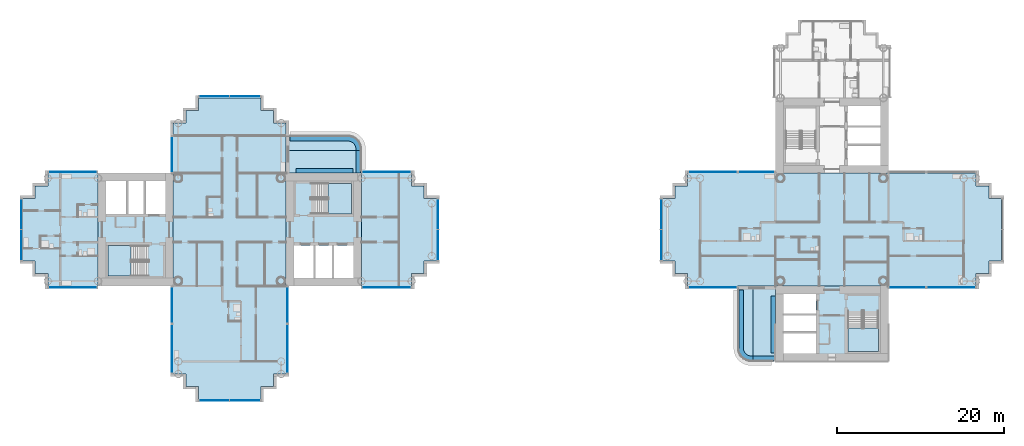
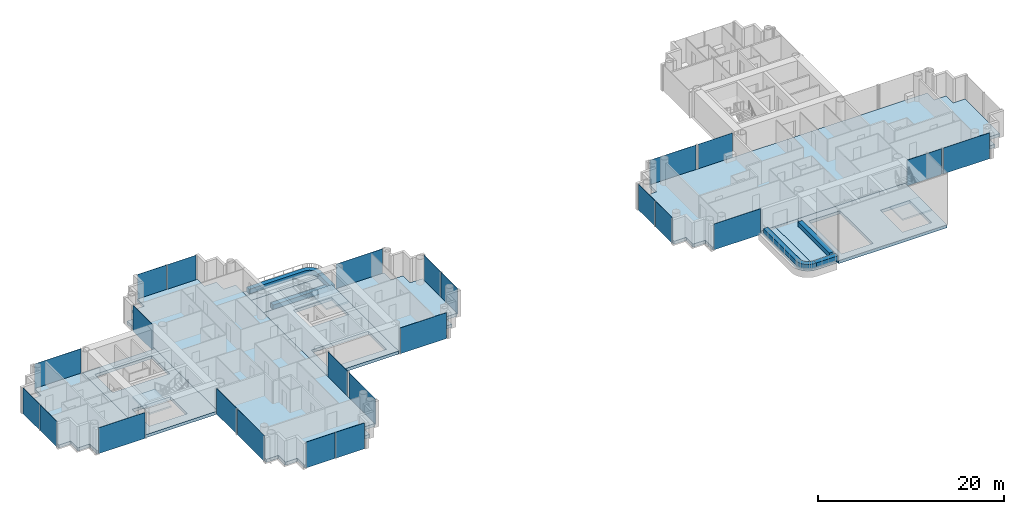
# One storey, part 7 of 21: 24 plates, 20 slabs, 22 elements without a shape of their own.
"""IFC4 building model written with IfcOpenShell, lengths in metres."""

from ifc_helpers import new_model, si_unit, direction, frame, origin, origin_2d, place, context, subcontext, project, spatial, polyline, rectangle, outline, extrude, material, layer, layer_set, type_object, element, aggregate, save


model = new_model("IFC4")

# Units and contexts
model_context = context("Model", 3, precision=1e-05, world=origin(), true_north=direction((0.0, 1.0)))
body_context = subcontext(model_context, "Body", "Model", "MODEL_VIEW")
ifc_project = project(units=[si_unit("LENGTHUNIT", "METRE"), si_unit("AREAUNIT", "SQUARE_METRE"), si_unit("VOLUMEUNIT", "CUBIC_METRE"), si_unit("PLANEANGLEUNIT", "RADIAN"), si_unit("MASSUNIT", "GRAM", prefix="KILO")], contexts=[model_context])

# Site, building, storey
site_placement = place(None, origin())
site = spatial("IfcSite", under=ifc_project, at=site_placement, CompositionType="ELEMENT")
building_placement = place(site_placement, origin())
building = spatial("IfcBuilding", under=site, at=building_placement, Name="Ipe Terrace Towers", CompositionType="ELEMENT")
storey_placement = place(building_placement, frame((0.0, 0.0, 83.39990234375)))
storey = spatial("IfcBuildingStorey", under=building, at=storey_placement, Name="L22", CompositionType="ELEMENT", Elevation=83.39990234375)

# Slabs
ifc_material_1 = material(Name="Concrete C30/37", Category="concrete")
ifc_layer_1 = layer(ifc_material_1, 0.199951171875)
ifc_layer_set_1 = layer_set([ifc_layer_1], Name="BALCONY SLAB 200")
slab_type_1 = type_object("IfcSlabType", Name="BALCONY SLAB 200", PredefinedType="FLOOR", material=ifc_layer_set_1)
slab_1_placement = place(storey_placement, frame((0.0, 0.0, -0.219970703125)))
element("IfcSlab", 1, at=slab_1_placement, inside=storey, type_object=slab_type_1, Name="balcony slab", PredefinedType="FLOOR", context=body_context, shape_type="SweptSolid", body=[
    extrude(outline(polyline([(-20.25, 6.75), (-20.25, 9.449951171875), (-29.25, 9.449951171875), (-29.25, 6.75), (-20.25, 6.75)])), origin(), (0.0, 0.0, 1.0), 0.199951171875),
])
slab_2_placement = place(storey_placement, frame((0.0, 0.0, -0.219970703125)))
element("IfcSlab", 2, at=slab_2_placement, inside=storey, type_object=slab_type_1, Name="balcony slab", PredefinedType="FLOOR", context=body_context, shape_type="SweptSolid", body=[
    extrude(outline(polyline([(-29.25, 11.25), (-29.25, 9.449951171875), (-20.25, 9.449951171875), (-20.25, 9.64990234375), (-20.263916015625, 9.85888671875), (-20.304931640625, 10.06396484375), (-20.3720703125, 10.261962890625), (-20.464111328125, 10.449951171875), (-20.5810546875, 10.6240234375), (-20.718994140625, 10.781005859375), (-20.8759765625, 10.9189453125), (-21.050048828125, 11.035888671875), (-21.238037109375, 11.1279296875), (-21.43603515625, 11.195068359375), (-21.64111328125, 11.236083984375), (-21.85009765625, 11.25), (-29.25, 11.25)])), origin(), (0.0, 0.0, 1.0), 0.199951171875),
])
slab_3_placement = place(storey_placement, frame((0.0, 0.0, -0.219970703125)))
element("IfcSlab", 3, at=slab_3_placement, inside=storey, type_object=slab_type_1, Name="balcony slab", PredefinedType="FLOOR", context=body_context, shape_type="SweptSolid", body=[
    extrude(outline(polyline([(29.25, -15.75), (29.25, -6.75), (26.550048828125, -6.75), (26.550048828125, -15.75), (29.25, -15.75)])), origin(), (0.0, 0.0, 1.0), 0.199951171875),
])
slab_4_placement = place(storey_placement, frame((0.0, 0.0, -0.219970703125)))
element("IfcSlab", 4, at=slab_4_placement, inside=storey, type_object=slab_type_1, Name="balcony slab", PredefinedType="FLOOR", context=body_context, shape_type="SweptSolid", body=[
    extrude(outline(polyline([(24.75, -6.75), (24.75, -14.14990234375), (24.763916015625, -14.35888671875), (24.804931640625, -14.56396484375), (24.8720703125, -14.761962890625), (24.964111328125, -14.949951171875), (25.0810546875, -15.1240234375), (25.218994140625, -15.281005859375), (25.3759765625, -15.4189453125), (25.550048828125, -15.535888671875), (25.738037109375, -15.6279296875), (25.93603515625, -15.695068359375), (26.14111328125, -15.736083984375), (26.35009765625, -15.75), (26.550048828125, -15.75), (26.550048828125, -6.75), (24.75, -6.75)])), origin(), (0.0, 0.0, 1.0), 0.199951171875),
])
ifc_material_2 = material(Name="Concrete C30/37", Category="concrete")
ifc_layer_2 = layer(ifc_material_2, 0.39990234375)
ifc_layer_set_2 = layer_set([ifc_layer_2], Name="CORE FLOOR SLAB 400 C30-37")
slab_type_2 = type_object("IfcSlabType", Name="CORE FLOOR SLAB 400 C30-37", PredefinedType="FLOOR", material=ifc_layer_set_2)
slab_5_placement = place(storey_placement, frame((0.0, 0.0, -0.39990234375)))
element("IfcSlab", 5, at=slab_5_placement, inside=storey, type_object=slab_type_2, Name="Core floor T1-C1", PredefinedType="FLOOR", context=body_context, shape_type="SweptSolid", body=[
    extrude(outline(polyline([(-29.25, -6.75), (-29.25, 6.75), (-20.25, 6.75), (-20.25, -6.75), (-29.25, -6.75)]), holes=[polyline([(-28.300048828125, -5.800048828125), (-21.199951171875, -5.800048828125), (-21.199951171875, -1.89990234375), (-28.300048828125, -1.89990234375), (-28.300048828125, -5.800048828125)]), polyline([(-26.199951171875, 5.550048828125), (-26.199951171875, 1.89990234375), (-21.449951171875, 1.89990234375), (-21.449951171875, 5.550048828125), (-26.199951171875, 5.550048828125)])]), origin(), (0.0, 0.0, 1.0), 0.39990234375),
])
slab_6_placement = place(storey_placement, frame((0.0, 0.0, -0.39990234375)))
element("IfcSlab", 6, at=slab_6_placement, inside=storey, type_object=slab_type_2, Name="Core floor T1-C2", PredefinedType="FLOOR", context=body_context, shape_type="SweptSolid", body=[
    extrude(outline(polyline([(-51.75, -6.75), (-51.75, 6.75), (-42.75, 6.75), (-42.75, -6.75), (-51.75, -6.75)]), holes=[polyline([(-45.800048828125, -5.550048828125), (-45.800048828125, -1.89990234375), (-50.550048828125, -1.89990234375), (-50.550048828125, -5.550048828125), (-45.800048828125, -5.550048828125)]), polyline([(-50.800048828125, 1.89990234375), (-43.699951171875, 1.89990234375), (-43.699951171875, 5.800048828125), (-50.800048828125, 5.800048828125), (-50.800048828125, 1.89990234375)])]), origin(), (0.0, 0.0, 1.0), 0.39990234375),
])
slab_7_placement = place(storey_placement, frame((0.0, 0.0, -0.39990234375)))
element("IfcSlab", 7, at=slab_7_placement, inside=storey, type_object=slab_type_2, Name="Core floor T2-C2", PredefinedType="FLOOR", context=body_context, shape_type="SweptSolid", body=[
    extrude(outline(polyline([(29.25, -15.75), (29.25, -6.75), (42.75, -6.75), (42.75, -15.75), (29.25, -15.75)]), holes=[polyline([(34.10009765625, -14.800048828125), (34.10009765625, -7.699951171875), (30.199951171875, -7.699951171875), (30.199951171875, -14.800048828125), (34.10009765625, -14.800048828125)]), polyline([(41.550048828125, -9.800048828125), (37.89990234375, -9.800048828125), (37.89990234375, -14.550048828125), (41.550048828125, -14.550048828125), (41.550048828125, -9.800048828125)])]), origin(), (0.0, 0.0, 1.0), 0.39990234375),
])

# Stair, slab
ifc_material_3 = material(Name="Concrete C30/37", Category="concrete")
stair_type = type_object("IfcStairType", Name="Protected exit stair", PredefinedType="HALF_TURN_STAIR", material=ifc_material_3)
stair_1_placement = place(storey_placement, origin())
stair_1 = element("IfcStair", 8, at=stair_1_placement, inside=storey, type_object=stair_type, Name="L22 Exit stair T1-C1", PredefinedType="HALF_TURN_STAIR")
ifc_material_4 = material(Name="Concrete C30/37", Category="concrete")
ifc_layer_3 = layer(ifc_material_4, 0.199951171875)
ifc_layer_set_3 = layer_set([ifc_layer_3], Name="Exit stair landing 200")
slab_type_3 = type_object("IfcSlabType", Name="Exit stair landing 200", PredefinedType="LANDING", material=ifc_layer_set_3)
slab_8_placement = place(storey_placement, frame((0.0, 0.0, 1.5)))
slab_8 = element("IfcSlab", 9, at=slab_8_placement, type_object=slab_type_3, Name="T1-ST1 landing 1", PredefinedType="LANDING", context=body_context, shape_type="SweptSolid", body=[
    extrude(outline(polyline([(-24.219970703125, 1.89990234375), (-21.449951171875, 1.89990234375), (-21.449951171875, 5.550048828125), (-24.219970703125, 5.550048828125), (-24.219970703125, 1.89990234375)])), origin(), (0.0, 0.0, 1.0), 0.2001953125),
])
aggregate(stair_1, [slab_8])

stair_2_placement = place(storey_placement, origin())
stair_2 = element("IfcStair", 10, at=stair_2_placement, inside=storey, type_object=stair_type, Name="L22 Exit stair T1-C2", PredefinedType="HALF_TURN_STAIR")
slab_9_placement = place(storey_placement, frame((0.0, 0.0, 1.5)))
slab_9 = element("IfcSlab", 11, at=slab_9_placement, type_object=slab_type_3, Name="T1-ST2 landing 1", PredefinedType="LANDING", context=body_context, shape_type="SweptSolid", body=[
    extrude(outline(polyline([(-47.780029296875, -1.89990234375), (-50.550048828125, -1.89990234375), (-50.550048828125, -5.550048828125), (-47.780029296875, -5.550048828125), (-47.780029296875, -1.89990234375)])), origin(), (0.0, 0.0, 1.0), 0.2001953125),
])
aggregate(stair_2, [slab_9])

stair_3_placement = place(storey_placement, origin())
stair_3 = element("IfcStair", 12, at=stair_3_placement, inside=storey, type_object=stair_type, Name="L22 Exit stair T2-C2", PredefinedType="HALF_TURN_STAIR")
slab_10_placement = place(storey_placement, frame((0.0, 0.0, 1.5)))
slab_10 = element("IfcSlab", 13, at=slab_10_placement, type_object=slab_type_3, Name="T2-ST2 landing 1", PredefinedType="LANDING", context=body_context, shape_type="SweptSolid", body=[
    extrude(outline(polyline([(37.89990234375, -11.780029296875), (37.89990234375, -14.550048828125), (41.550048828125, -14.550048828125), (41.550048828125, -11.780029296875), (37.89990234375, -11.780029296875)])), origin(), (0.0, 0.0, 1.0), 0.2001953125),
])
aggregate(stair_3, [slab_10])

# Slabs
ifc_material_5 = material(Name="Concrete C40/50", Category="concrete")
ifc_layer_4 = layer(ifc_material_5, 0.39990234375)
ifc_layer_set_4 = layer_set([ifc_layer_4], Name="FLAT PLATE SLAB 400 C40-50")
slab_type_4 = type_object("IfcSlabType", Name="FLAT PLATE SLAB 400 C40-50", PredefinedType="FLOOR", material=ifc_layer_set_4)
slab_11_placement = place(storey_placement, frame((0.0, 0.0, -0.39990234375)))
element("IfcSlab", 14, at=slab_11_placement, inside=storey, type_object=slab_type_4, Name="Slab T1-FS-Z21", PredefinedType="FLOOR", context=body_context, shape_type="SweptSolid", body=[
    extrude(outline(polyline([(-30.75, -17.25), (-30.75, -18.75), (-32.25, -18.75), (-32.25, -20.25), (-39.75, -20.25), (-39.75, -18.75), (-41.25, -18.75), (-41.25, -17.25), (-42.75, -17.25), (-42.75, -6.75), (-42.75, 6.75), (-42.75, 12.75), (-41.25, 12.75), (-41.25, 14.25), (-39.75, 14.25), (-39.75, 15.75), (-32.25, 15.75), (-32.25, 14.25), (-30.75, 14.25), (-30.75, 12.75), (-29.25, 12.75), (-29.25, 6.75), (-29.25, -6.75), (-29.25, -17.25), (-30.75, -17.25)])), origin(), (0.0, 0.0, 1.0), 0.39990234375),
])
slab_12_placement = place(storey_placement, frame((0.0, 0.0, -0.39990234375)))
element("IfcSlab", 15, at=slab_12_placement, inside=storey, type_object=slab_type_4, Name="Slab T1-FS-Z22", PredefinedType="FLOOR", context=body_context, shape_type="SweptSolid", body=[
    extrude(outline(polyline([(-57.75, -6.75), (-57.75, -5.25), (-59.25, -5.25), (-59.25, -3.75), (-60.75, -3.75), (-60.75, 3.75), (-59.25, 3.75), (-59.25, 5.25), (-57.75, 5.25), (-57.75, 6.75), (-51.75, 6.75), (-51.75, -6.75), (-57.75, -6.75)])), origin(), (0.0, 0.0, 1.0), 0.39990234375),
])
slab_13_placement = place(storey_placement, frame((0.0, 0.0, -0.39990234375)))
element("IfcSlab", 16, at=slab_13_placement, inside=storey, type_object=slab_type_4, Name="Slab T1-FS-Z23", PredefinedType="FLOOR", context=body_context, shape_type="SweptSolid", body=[
    extrude(outline(polyline([(-14.25, 5.25), (-12.75, 5.25), (-12.75, 3.75), (-11.25, 3.75), (-11.25, -3.75), (-12.75, -3.75), (-12.75, -5.25), (-14.25, -5.25), (-14.25, -6.75), (-20.25, -6.75), (-20.25, 6.75), (-14.25, 6.75), (-14.25, 5.25)])), origin(), (0.0, 0.0, 1.0), 0.39990234375),
])
slab_14_placement = place(storey_placement, frame((0.0, 0.0, -0.39990234375)))
element("IfcSlab", 17, at=slab_14_placement, inside=storey, type_object=slab_type_4, Name="Slab T2-FS-Z21", PredefinedType="FLOOR", context=body_context, shape_type="SweptSolid", body=[
    extrude(outline(polyline([(53.25, 5.25), (54.75, 5.25), (54.75, 3.75), (56.25, 3.75), (56.25, -3.75), (54.75, -3.75), (54.75, -5.25), (53.25, -5.25), (53.25, -6.75), (42.75, -6.75), (29.25, -6.75), (18.75, -6.75), (18.75, -5.25), (17.25, -5.25), (17.25, -3.75), (15.75, -3.75), (15.75, 3.75), (17.25, 3.75), (17.25, 5.25), (18.75, 5.25), (18.75, 6.75), (29.25, 6.75), (42.75, 6.75), (53.25, 6.75), (53.25, 5.25)])), origin(), (0.0, 0.0, 1.0), 0.39990234375),
])
ifc_material_6 = material(Name="Concrete C30/37", Category="concrete")
ifc_layer_5 = layer(ifc_material_6, 0.60009765625)
ifc_layer_set_5 = layer_set([ifc_layer_5], Name="PLANTER TROUGH 550 x 600")
slab_type_5 = type_object("IfcSlabType", Name="PLANTER TROUGH 550 x 600", PredefinedType="USERDEFINED", material=ifc_layer_set_5)
slab_15_placement = place(storey_placement, frame((0.0, 0.0, -0.02001953125)))
element("IfcSlab", 18, at=slab_15_placement, inside=storey, type_object=slab_type_5, Name="planter", ObjectType="PLANTER", PredefinedType="USERDEFINED", context=body_context, shape_type="SweptSolid", body=[
    extrude(outline(polyline([(-20.360107421875, 6.75), (-20.360107421875, 9.449951171875), (-20.909912109375, 9.449951171875), (-20.909912109375, 6.75), (-20.360107421875, 6.75)])), origin(), (0.0, 0.0, 1.0), 0.60009765625),
])
slab_16_placement = place(storey_placement, frame((0.0, 0.0, -0.02001953125)))
element("IfcSlab", 19, at=slab_16_placement, inside=storey, type_object=slab_type_5, Name="planter", ObjectType="PLANTER", PredefinedType="USERDEFINED", context=body_context, shape_type="SweptSolid", body=[
    extrude(outline(polyline([(-20.943115234375, 9.89306640625), (-20.9189453125, 9.77294921875), (-20.909912109375, 9.6279296875), (-20.909912109375, 9.449951171875), (-20.360107421875, 9.449951171875), (-20.360107421875, 9.636962890625), (-20.361083984375, 9.655029296875), (-20.3720703125, 9.825927734375), (-20.3759765625, 9.862060546875), (-20.406982421875, 10.01806640625), (-20.4169921875, 10.052978515625), (-20.468017578125, 10.202880859375), (-20.48193359375, 10.236083984375), (-20.552001953125, 10.37890625), (-20.570068359375, 10.409912109375), (-20.657958984375, 10.5419921875), (-20.679931640625, 10.570068359375), (-20.784912109375, 10.68994140625), (-20.81005859375, 10.715087890625), (-20.929931640625, 10.820068359375), (-20.9580078125, 10.842041015625), (-21.090087890625, 10.929931640625), (-21.12109375, 10.947998046875), (-21.263916015625, 11.01806640625), (-21.297119140625, 11.031982421875), (-21.447021484375, 11.0830078125), (-21.48193359375, 11.093017578125), (-21.637939453125, 11.1240234375), (-21.674072265625, 11.1279296875), (-21.844970703125, 11.138916015625), (-21.863037109375, 11.139892578125), (-28.800048828125, 11.139892578125), (-28.800048828125, 10.590087890625), (-21.8720703125, 10.590087890625), (-21.72705078125, 10.5810546875), (-21.60693359375, 10.556884765625), (-21.490966796875, 10.51708984375), (-21.381103515625, 10.462890625), (-21.279052734375, 10.39501953125), (-21.18603515625, 10.31396484375), (-21.10498046875, 10.220947265625), (-21.037109375, 10.118896484375), (-20.98291015625, 10.009033203125), (-20.943115234375, 9.89306640625)])), origin(), (0.0, 0.0, 1.0), 0.60009765625),
])
slab_17_placement = place(storey_placement, frame((0.0, 0.0, -0.02001953125)))
element("IfcSlab", 20, at=slab_17_placement, inside=storey, type_object=slab_type_5, Name="planter", ObjectType="PLANTER", PredefinedType="USERDEFINED", context=body_context, shape_type="SweptSolid", body=[
    extrude(outline(polyline([(-28.050048828125, 6.75), (-21.25, 6.75), (-21.25, 7.300048828125), (-28.050048828125, 7.300048828125), (-28.050048828125, 6.75)])), origin(), (0.0, 0.0, 1.0), 0.60009765625),
])
slab_18_placement = place(storey_placement, frame((0.0, 0.0, -0.02001953125)))
element("IfcSlab", 21, at=slab_18_placement, inside=storey, type_object=slab_type_5, Name="planter", ObjectType="PLANTER", PredefinedType="USERDEFINED", context=body_context, shape_type="SweptSolid", body=[
    extrude(outline(polyline([(29.25, -15.639892578125), (29.25, -15.090087890625), (26.550048828125, -15.090087890625), (26.550048828125, -15.639892578125), (29.25, -15.639892578125)])), origin(), (0.0, 0.0, 1.0), 0.60009765625),
])
slab_19_placement = place(storey_placement, frame((0.0, 0.0, -0.02001953125)))
element("IfcSlab", 22, at=slab_19_placement, inside=storey, type_object=slab_type_5, Name="planter", ObjectType="PLANTER", PredefinedType="USERDEFINED", context=body_context, shape_type="SweptSolid", body=[
    extrude(outline(polyline([(26.10693359375, -15.056884765625), (25.990966796875, -15.01708984375), (25.881103515625, -14.962890625), (25.779052734375, -14.89501953125), (25.68603515625, -14.81396484375), (25.60498046875, -14.720947265625), (25.537109375, -14.618896484375), (25.48291015625, -14.509033203125), (25.443115234375, -14.39306640625), (25.4189453125, -14.27294921875), (25.409912109375, -14.1279296875), (25.409912109375, -7.199951171875), (24.860107421875, -7.199951171875), (24.860107421875, -14.136962890625), (24.861083984375, -14.155029296875), (24.8720703125, -14.325927734375), (24.8759765625, -14.362060546875), (24.906982421875, -14.51806640625), (24.9169921875, -14.552978515625), (24.968017578125, -14.702880859375), (24.98193359375, -14.736083984375), (25.052001953125, -14.87890625), (25.070068359375, -14.909912109375), (25.157958984375, -15.0419921875), (25.179931640625, -15.070068359375), (25.284912109375, -15.18994140625), (25.31005859375, -15.215087890625), (25.429931640625, -15.320068359375), (25.4580078125, -15.342041015625), (25.590087890625, -15.429931640625), (25.62109375, -15.447998046875), (25.763916015625, -15.51806640625), (25.797119140625, -15.531982421875), (25.947021484375, -15.5830078125), (25.98193359375, -15.593017578125), (26.137939453125, -15.6240234375), (26.174072265625, -15.6279296875), (26.344970703125, -15.638916015625), (26.363037109375, -15.639892578125), (26.550048828125, -15.639892578125), (26.550048828125, -15.090087890625), (26.3720703125, -15.090087890625), (26.22705078125, -15.0810546875), (26.10693359375, -15.056884765625)])), origin(), (0.0, 0.0, 1.0), 0.60009765625),
])
slab_20_placement = place(storey_placement, frame((0.0, 0.0, -0.02001953125)))
element("IfcSlab", 23, at=slab_20_placement, inside=storey, type_object=slab_type_5, Name="planter", ObjectType="PLANTER", PredefinedType="USERDEFINED", context=body_context, shape_type="SweptSolid", body=[
    extrude(outline(polyline([(29.25, -7.949951171875), (28.699951171875, -7.949951171875), (28.699951171875, -14.75), (29.25, -14.75), (29.25, -7.949951171875)])), origin(), (0.0, 0.0, 1.0), 0.60009765625),
])

# Curtain wall, plate
ifc_material_7 = material(Name="Aluminium alloy 6063-T6", Category="aluminium")
ifc_layer_6 = layer(ifc_material_7, 0.320068359375)
ifc_layer_set_6 = layer_set([ifc_layer_6], Name="TOWER UNITISED CURTAIN WALL")
curtain_wall_type = type_object("IfcCurtainWallType", Name="TOWER UNITISED CURTAIN WALL", PredefinedType="NOTDEFINED", material=ifc_layer_set_6)
curtain_wall_1_placement = place(storey_placement, origin())
curtain_wall_1 = element("IfcCurtainWall", 24, at=curtain_wall_1_placement, inside=storey, type_object=curtain_wall_type, Name="T1-CW-L22-04a curtain wall", PredefinedType="NOTDEFINED")
ifc_material_8 = material(Name="Glass, clear laminated", Category="glass")
ifc_layer_7 = layer(ifc_material_8, 0.031982421875)
ifc_layer_set_7 = layer_set([ifc_layer_7], Name="TOWER UNITISED GLASS PANEL 32")
plate_type = type_object("IfcPlateType", Name="TOWER UNITISED GLASS PANEL 32", PredefinedType="CURTAIN_PANEL", material=ifc_layer_set_7)
plate_1_placement = place(storey_placement, frame((-54.75048828125, -6.909912109375, -0.2998046875), z_axis=(0.0, 0.0, 1.0), x_axis=(1.0, 0.0, 0.0)))
plate_1 = element("IfcPlate", 25, at=plate_1_placement, type_object=plate_type, Name="T1-CW-L22-04a panel 1", PredefinedType="CURTAIN_PANEL", context=body_context, shape_type="SweptSolid", body=[
    extrude(rectangle(XDim=5.759033203125, YDim=0.031982421875, at=origin_2d()), origin(), (0.0, 0.0, 1.0), 3.39990234375),
])
aggregate(curtain_wall_1, [plate_1])

curtain_wall_2_placement = place(storey_placement, origin())
curtain_wall_2 = element("IfcCurtainWall", 26, at=curtain_wall_2_placement, inside=storey, type_object=curtain_wall_type, Name="T1-CW-L22-06a curtain wall", PredefinedType="NOTDEFINED")
plate_2_placement = place(storey_placement, frame((-42.909912109375, -9.0, -0.2998046875), z_axis=(0.0, 0.0, 1.0), x_axis=(0.0, -1.0, 0.0)))
plate_2 = element("IfcPlate", 27, at=plate_2_placement, type_object=plate_type, Name="T1-CW-L22-06a panel 1", PredefinedType="CURTAIN_PANEL", context=body_context, shape_type="SweptSolid", body=[
    extrude(rectangle(XDim=4.260009765625, YDim=0.031982421875, at=origin_2d()), origin(), (0.0, 0.0, 1.0), 3.39990234375),
])
aggregate(curtain_wall_2, [plate_2])

curtain_wall_3_placement = place(storey_placement, origin())
curtain_wall_3 = element("IfcCurtainWall", 28, at=curtain_wall_3_placement, inside=storey, type_object=curtain_wall_type, Name="T1-CW-L22-07a curtain wall", PredefinedType="NOTDEFINED")
plate_3_placement = place(storey_placement, frame((-42.909912109375, -14.25, -0.2998046875), z_axis=(0.0, 0.0, 1.0), x_axis=(0.0, -1.0, 0.0)))
plate_3 = element("IfcPlate", 29, at=plate_3_placement, type_object=plate_type, Name="T1-CW-L22-07a panel 1", PredefinedType="CURTAIN_PANEL", context=body_context, shape_type="SweptSolid", body=[
    extrude(rectangle(XDim=5.760009765625, YDim=0.031982421875, at=origin_2d()), origin(), (0.0, 0.0, 1.0), 3.39990234375),
])
aggregate(curtain_wall_3, [plate_3])

# Curtain wall, plates
curtain_wall_4_placement = place(storey_placement, origin())
curtain_wall_4 = element("IfcCurtainWall", 30, at=curtain_wall_4_placement, inside=storey, type_object=curtain_wall_type, Name="T1-CW-L22-12a curtain wall", PredefinedType="NOTDEFINED")
plate_4_placement = place(storey_placement, frame((-37.831298828125, -20.409912109375, -0.2998046875), z_axis=(0.0, 0.0, 1.0), x_axis=(1.0, 0.0, 0.0)))
plate_4 = element("IfcPlate", 31, at=plate_4_placement, type_object=plate_type, Name="T1-CW-L22-12a panel 1", PredefinedType="CURTAIN_PANEL", context=body_context, shape_type="SweptSolid", body=[
    extrude(rectangle(XDim=3.597412109375, YDim=0.031982421875, at=origin_2d()), origin(), (0.0, 0.0, 1.0), 3.39990234375),
])
plate_5_placement = place(storey_placement, frame((-34.168701171875, -20.409912109375, -0.2998046875), z_axis=(0.0, 0.0, 1.0), x_axis=(1.0, 0.0, 0.0)))
plate_5 = element("IfcPlate", 32, at=plate_5_placement, type_object=plate_type, Name="T1-CW-L22-12a panel 2", PredefinedType="CURTAIN_PANEL", context=body_context, shape_type="SweptSolid", body=[
    extrude(rectangle(XDim=3.597412109375, YDim=0.031982421875, at=origin_2d()), origin(), (0.0, 0.0, 1.0), 3.39990234375),
])
aggregate(curtain_wall_4, [plate_4, plate_5])

# Curtain wall, plate
curtain_wall_5_placement = place(storey_placement, origin())
curtain_wall_5 = element("IfcCurtainWall", 33, at=curtain_wall_5_placement, inside=storey, type_object=curtain_wall_type, Name="T1-CW-L22-17a curtain wall", PredefinedType="NOTDEFINED")
plate_6_placement = place(storey_placement, frame((-29.090087890625, -14.25, -0.2998046875), z_axis=(0.0, 0.0, 1.0), x_axis=(0.0, 1.0, 0.0)))
plate_6 = element("IfcPlate", 34, at=plate_6_placement, type_object=plate_type, Name="T1-CW-L22-17a panel 1", PredefinedType="CURTAIN_PANEL", context=body_context, shape_type="SweptSolid", body=[
    extrude(rectangle(XDim=5.760009765625, YDim=0.031982421875, at=origin_2d()), origin(), (0.0, 0.0, 1.0), 3.39990234375),
])
aggregate(curtain_wall_5, [plate_6])

curtain_wall_6_placement = place(storey_placement, origin())
curtain_wall_6 = element("IfcCurtainWall", 35, at=curtain_wall_6_placement, inside=storey, type_object=curtain_wall_type, Name="T1-CW-L22-18a curtain wall", PredefinedType="NOTDEFINED")
plate_7_placement = place(storey_placement, frame((-29.090087890625, -9.0, -0.2998046875), z_axis=(0.0, 0.0, 1.0), x_axis=(0.0, 1.0, 0.0)))
plate_7 = element("IfcPlate", 36, at=plate_7_placement, type_object=plate_type, Name="T1-CW-L22-18a panel 1", PredefinedType="CURTAIN_PANEL", context=body_context, shape_type="SweptSolid", body=[
    extrude(rectangle(XDim=4.260009765625, YDim=0.031982421875, at=origin_2d()), origin(), (0.0, 0.0, 1.0), 3.39990234375),
])
aggregate(curtain_wall_6, [plate_7])

curtain_wall_7_placement = place(storey_placement, origin())
curtain_wall_7 = element("IfcCurtainWall", 37, at=curtain_wall_7_placement, inside=storey, type_object=curtain_wall_type, Name="T1-CW-L22-20b curtain wall", PredefinedType="NOTDEFINED")
plate_8_placement = place(storey_placement, frame((-17.24951171875, -6.909912109375, -0.2998046875), z_axis=(0.0, 0.0, 1.0), x_axis=(1.0, 0.0, 0.0)))
plate_8 = element("IfcPlate", 38, at=plate_8_placement, type_object=plate_type, Name="T1-CW-L22-20b panel 1", PredefinedType="CURTAIN_PANEL", context=body_context, shape_type="SweptSolid", body=[
    extrude(rectangle(XDim=5.759033203125, YDim=0.031982421875, at=origin_2d()), origin(), (0.0, 0.0, 1.0), 3.39990234375),
])
aggregate(curtain_wall_7, [plate_8])

# Curtain wall, plates
curtain_wall_8_placement = place(storey_placement, origin())
curtain_wall_8 = element("IfcCurtainWall", 39, at=curtain_wall_8_placement, inside=storey, type_object=curtain_wall_type, Name="T1-CW-L22-25a curtain wall", PredefinedType="NOTDEFINED")
plate_9_placement = place(storey_placement, frame((-11.090087890625, -1.831298828125, -0.2998046875), z_axis=(0.0, 0.0, 1.0), x_axis=(0.0, 1.0, 0.0)))
plate_9 = element("IfcPlate", 40, at=plate_9_placement, type_object=plate_type, Name="T1-CW-L22-25a panel 1", PredefinedType="CURTAIN_PANEL", context=body_context, shape_type="SweptSolid", body=[
    extrude(rectangle(XDim=3.597412109375, YDim=0.031982421875, at=origin_2d()), origin(), (0.0, 0.0, 1.0), 3.39990234375),
])
plate_10_placement = place(storey_placement, frame((-11.090087890625, 1.831298828125, -0.2998046875), z_axis=(0.0, 0.0, 1.0), x_axis=(0.0, 1.0, 0.0)))
plate_10 = element("IfcPlate", 41, at=plate_10_placement, type_object=plate_type, Name="T1-CW-L22-25a panel 2", PredefinedType="CURTAIN_PANEL", context=body_context, shape_type="SweptSolid", body=[
    extrude(rectangle(XDim=3.597412109375, YDim=0.031982421875, at=origin_2d()), origin(), (0.0, 0.0, 1.0), 3.39990234375),
])
aggregate(curtain_wall_8, [plate_9, plate_10])

# Curtain wall, plate
curtain_wall_9_placement = place(storey_placement, origin())
curtain_wall_9 = element("IfcCurtainWall", 42, at=curtain_wall_9_placement, inside=storey, type_object=curtain_wall_type, Name="T1-CW-L22-30a curtain wall", PredefinedType="NOTDEFINED")
plate_11_placement = place(storey_placement, frame((-17.24951171875, 6.909912109375, -0.2998046875), z_axis=(0.0, 0.0, 1.0), x_axis=(-1.0, 0.0, 0.0)))
plate_11 = element("IfcPlate", 43, at=plate_11_placement, type_object=plate_type, Name="T1-CW-L22-30a panel 1", PredefinedType="CURTAIN_PANEL", context=body_context, shape_type="SweptSolid", body=[
    extrude(rectangle(XDim=5.759033203125, YDim=0.031982421875, at=origin_2d()), origin(), (0.0, 0.0, 1.0), 3.39990234375),
])
aggregate(curtain_wall_9, [plate_11])

# Curtain wall, plates
curtain_wall_10_placement = place(storey_placement, origin())
curtain_wall_10 = element("IfcCurtainWall", 44, at=curtain_wall_10_placement, inside=storey, type_object=curtain_wall_type, Name="T1-CW-L22-38a curtain wall", PredefinedType="NOTDEFINED")
plate_12_placement = place(storey_placement, frame((-34.168701171875, 15.909912109375, -0.2998046875), z_axis=(0.0, 0.0, 1.0), x_axis=(-1.0, 0.0, 0.0)))
plate_12 = element("IfcPlate", 45, at=plate_12_placement, type_object=plate_type, Name="T1-CW-L22-38a panel 1", PredefinedType="CURTAIN_PANEL", context=body_context, shape_type="SweptSolid", body=[
    extrude(rectangle(XDim=3.597412109375, YDim=0.031982421875, at=origin_2d()), origin(), (0.0, 0.0, 1.0), 3.39990234375),
])
plate_13_placement = place(storey_placement, frame((-37.831298828125, 15.909912109375, -0.2998046875), z_axis=(0.0, 0.0, 1.0), x_axis=(-1.0, 0.0, 0.0)))
plate_13 = element("IfcPlate", 46, at=plate_13_placement, type_object=plate_type, Name="T1-CW-L22-38a panel 2", PredefinedType="CURTAIN_PANEL", context=body_context, shape_type="SweptSolid", body=[
    extrude(rectangle(XDim=3.597412109375, YDim=0.031982421875, at=origin_2d()), origin(), (0.0, 0.0, 1.0), 3.39990234375),
])
aggregate(curtain_wall_10, [plate_12, plate_13])

# Curtain wall, plate
curtain_wall_11_placement = place(storey_placement, origin())
curtain_wall_11 = element("IfcCurtainWall", 47, at=curtain_wall_11_placement, inside=storey, type_object=curtain_wall_type, Name="T1-CW-L22-44a curtain wall", PredefinedType="NOTDEFINED")
plate_14_placement = place(storey_placement, frame((-42.909912109375, 9.0, -0.2998046875), z_axis=(0.0, 0.0, 1.0), x_axis=(0.0, -1.0, 0.0)))
plate_14 = element("IfcPlate", 48, at=plate_14_placement, type_object=plate_type, Name="T1-CW-L22-44a panel 1", PredefinedType="CURTAIN_PANEL", context=body_context, shape_type="SweptSolid", body=[
    extrude(rectangle(XDim=4.260009765625, YDim=0.031982421875, at=origin_2d()), origin(), (0.0, 0.0, 1.0), 3.39990234375),
])
aggregate(curtain_wall_11, [plate_14])

curtain_wall_12_placement = place(storey_placement, origin())
curtain_wall_12 = element("IfcCurtainWall", 49, at=curtain_wall_12_placement, inside=storey, type_object=curtain_wall_type, Name="T1-CW-L22-46b curtain wall", PredefinedType="NOTDEFINED")
plate_15_placement = place(storey_placement, frame((-54.75048828125, 6.909912109375, -0.2998046875), z_axis=(0.0, 0.0, 1.0), x_axis=(-1.0, 0.0, 0.0)))
plate_15 = element("IfcPlate", 50, at=plate_15_placement, type_object=plate_type, Name="T1-CW-L22-46b panel 1", PredefinedType="CURTAIN_PANEL", context=body_context, shape_type="SweptSolid", body=[
    extrude(rectangle(XDim=5.759033203125, YDim=0.031982421875, at=origin_2d()), origin(), (0.0, 0.0, 1.0), 3.39990234375),
])
aggregate(curtain_wall_12, [plate_15])

# Curtain wall, plates
curtain_wall_13_placement = place(storey_placement, origin())
curtain_wall_13 = element("IfcCurtainWall", 51, at=curtain_wall_13_placement, inside=storey, type_object=curtain_wall_type, Name="T1-CW-L22-51a curtain wall", PredefinedType="NOTDEFINED")
plate_16_placement = place(storey_placement, frame((-60.909912109375, 1.831298828125, -0.2998046875), z_axis=(0.0, 0.0, 1.0), x_axis=(0.0, -1.0, 0.0)))
plate_16 = element("IfcPlate", 52, at=plate_16_placement, type_object=plate_type, Name="T1-CW-L22-51a panel 1", PredefinedType="CURTAIN_PANEL", context=body_context, shape_type="SweptSolid", body=[
    extrude(rectangle(XDim=3.597412109375, YDim=0.031982421875, at=origin_2d()), origin(), (0.0, 0.0, 1.0), 3.39990234375),
])
plate_17_placement = place(storey_placement, frame((-60.909912109375, -1.831298828125, -0.2998046875), z_axis=(0.0, 0.0, 1.0), x_axis=(0.0, -1.0, 0.0)))
plate_17 = element("IfcPlate", 53, at=plate_17_placement, type_object=plate_type, Name="T1-CW-L22-51a panel 2", PredefinedType="CURTAIN_PANEL", context=body_context, shape_type="SweptSolid", body=[
    extrude(rectangle(XDim=3.597412109375, YDim=0.031982421875, at=origin_2d()), origin(), (0.0, 0.0, 1.0), 3.39990234375),
])
aggregate(curtain_wall_13, [plate_16, plate_17])

# Curtain wall, plate
curtain_wall_14_placement = place(storey_placement, origin())
curtain_wall_14 = element("IfcCurtainWall", 54, at=curtain_wall_14_placement, inside=storey, type_object=curtain_wall_type, Name="T2-CW-L22-02a curtain wall", PredefinedType="NOTDEFINED")
plate_18_placement = place(storey_placement, frame((45.0, -6.909912109375, -0.2998046875), z_axis=(0.0, 0.0, 1.0), x_axis=(1.0, 0.0, 0.0)))
plate_18 = element("IfcPlate", 55, at=plate_18_placement, type_object=plate_type, Name="T2-CW-L22-02a panel 1", PredefinedType="CURTAIN_PANEL", context=body_context, shape_type="SweptSolid", body=[
    extrude(rectangle(XDim=4.260009765625, YDim=0.031982421875, at=origin_2d()), origin(), (0.0, 0.0, 1.0), 3.39990234375),
])
aggregate(curtain_wall_14, [plate_18])

curtain_wall_15_placement = place(storey_placement, origin())
curtain_wall_15 = element("IfcCurtainWall", 56, at=curtain_wall_15_placement, inside=storey, type_object=curtain_wall_type, Name="T2-CW-L22-03a curtain wall", PredefinedType="NOTDEFINED")
plate_19_placement = place(storey_placement, frame((50.25, -6.909912109375, -0.2998046875), z_axis=(0.0, 0.0, 1.0), x_axis=(1.0, 0.0, 0.0)))
plate_19 = element("IfcPlate", 57, at=plate_19_placement, type_object=plate_type, Name="T2-CW-L22-03a panel 1", PredefinedType="CURTAIN_PANEL", context=body_context, shape_type="SweptSolid", body=[
    extrude(rectangle(XDim=5.760009765625, YDim=0.031982421875, at=origin_2d()), origin(), (0.0, 0.0, 1.0), 3.39990234375),
])
aggregate(curtain_wall_15, [plate_19])

curtain_wall_16_placement = place(storey_placement, origin())
curtain_wall_16 = element("IfcCurtainWall", 58, at=curtain_wall_16_placement, inside=storey, type_object=curtain_wall_type, Name="T2-CW-L22-28a curtain wall", PredefinedType="NOTDEFINED")
plate_20_placement = place(storey_placement, frame((27.0, 6.909912109375, -0.2998046875), z_axis=(0.0, 0.0, 1.0), x_axis=(-1.0, 0.0, 0.0)))
plate_20 = element("IfcPlate", 59, at=plate_20_placement, type_object=plate_type, Name="T2-CW-L22-28a panel 1", PredefinedType="CURTAIN_PANEL", context=body_context, shape_type="SweptSolid", body=[
    extrude(rectangle(XDim=4.260009765625, YDim=0.031982421875, at=origin_2d()), origin(), (0.0, 0.0, 1.0), 3.39990234375),
])
aggregate(curtain_wall_16, [plate_20])

curtain_wall_17_placement = place(storey_placement, origin())
curtain_wall_17 = element("IfcCurtainWall", 60, at=curtain_wall_17_placement, inside=storey, type_object=curtain_wall_type, Name="T2-CW-L22-29a curtain wall", PredefinedType="NOTDEFINED")
plate_21_placement = place(storey_placement, frame((21.75, 6.909912109375, -0.2998046875), z_axis=(0.0, 0.0, 1.0), x_axis=(-1.0, 0.0, 0.0)))
plate_21 = element("IfcPlate", 61, at=plate_21_placement, type_object=plate_type, Name="T2-CW-L22-29a panel 1", PredefinedType="CURTAIN_PANEL", context=body_context, shape_type="SweptSolid", body=[
    extrude(rectangle(XDim=5.760009765625, YDim=0.031982421875, at=origin_2d()), origin(), (0.0, 0.0, 1.0), 3.39990234375),
])
aggregate(curtain_wall_17, [plate_21])

# Curtain wall, plates
curtain_wall_18_placement = place(storey_placement, origin())
curtain_wall_18 = element("IfcCurtainWall", 62, at=curtain_wall_18_placement, inside=storey, type_object=curtain_wall_type, Name="T2-CW-L22-34a curtain wall", PredefinedType="NOTDEFINED")
plate_22_placement = place(storey_placement, frame((15.590087890625, 1.831298828125, -0.2998046875), z_axis=(0.0, 0.0, 1.0), x_axis=(0.0, -1.0, 0.0)))
plate_22 = element("IfcPlate", 63, at=plate_22_placement, type_object=plate_type, Name="T2-CW-L22-34a panel 1", PredefinedType="CURTAIN_PANEL", context=body_context, shape_type="SweptSolid", body=[
    extrude(rectangle(XDim=3.597412109375, YDim=0.031982421875, at=origin_2d()), origin(), (0.0, 0.0, 1.0), 3.39990234375),
])
plate_23_placement = place(storey_placement, frame((15.590087890625, -1.831298828125, -0.2998046875), z_axis=(0.0, 0.0, 1.0), x_axis=(0.0, -1.0, 0.0)))
plate_23 = element("IfcPlate", 64, at=plate_23_placement, type_object=plate_type, Name="T2-CW-L22-34a panel 2", PredefinedType="CURTAIN_PANEL", context=body_context, shape_type="SweptSolid", body=[
    extrude(rectangle(XDim=3.597412109375, YDim=0.031982421875, at=origin_2d()), origin(), (0.0, 0.0, 1.0), 3.39990234375),
])
aggregate(curtain_wall_18, [plate_22, plate_23])

# Curtain wall, plate
curtain_wall_19_placement = place(storey_placement, origin())
curtain_wall_19 = element("IfcCurtainWall", 65, at=curtain_wall_19_placement, inside=storey, type_object=curtain_wall_type, Name="T2-CW-L22-39a curtain wall", PredefinedType="NOTDEFINED")
plate_24_placement = place(storey_placement, frame((21.75, -6.909912109375, -0.2998046875), z_axis=(0.0, 0.0, 1.0), x_axis=(1.0, 0.0, 0.0)))
plate_24 = element("IfcPlate", 66, at=plate_24_placement, type_object=plate_type, Name="T2-CW-L22-39a panel 1", PredefinedType="CURTAIN_PANEL", context=body_context, shape_type="SweptSolid", body=[
    extrude(rectangle(XDim=5.760009765625, YDim=0.031982421875, at=origin_2d()), origin(), (0.0, 0.0, 1.0), 3.39990234375),
])
aggregate(curtain_wall_19, [plate_24])

save(model, "model.ifc")
